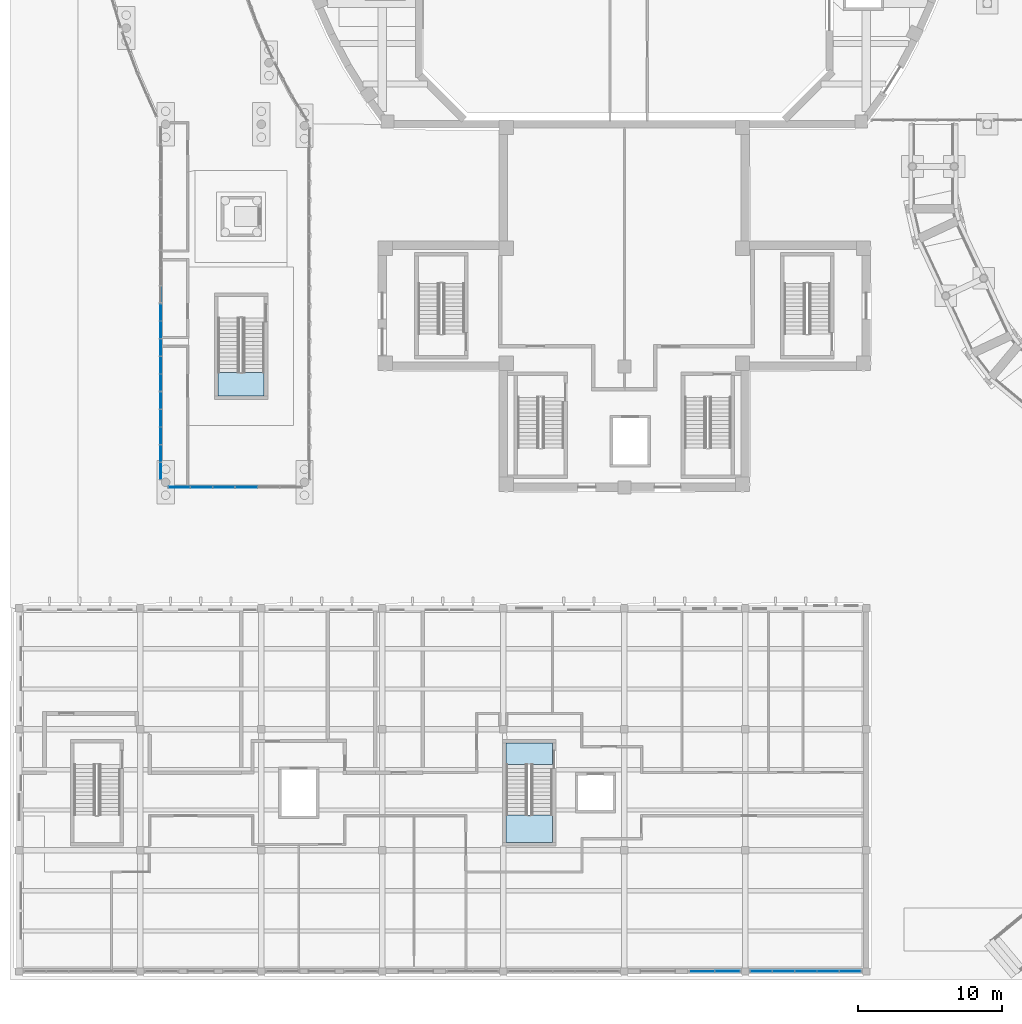
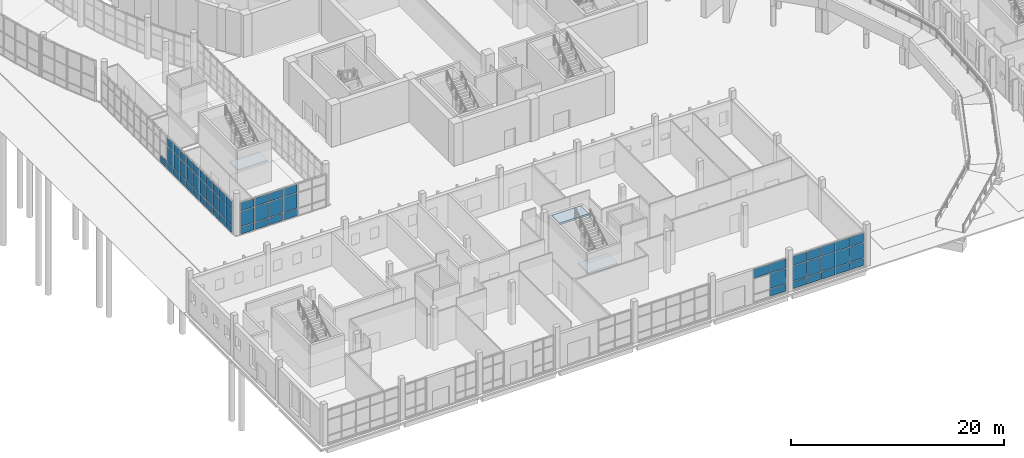
# One storey, part 39 of 110: 62 plates, 3 slabs, 9 elements without a shape of their own.
"""IFC4 building model written with IfcOpenShell, lengths in metres."""

import ifcopenshell
import ifcopenshell.guid

model = None  # the IFC model being written
_history = None  # IfcOwnerHistory: only IFC2X3 demands one
_inside = {}  # id of a spatial element -> (the spatial element, [elements in it])
_under = {}  # id of a project, library or spatial element -> (it, [spatial elements below it])
_declared = {}  # id of a project -> (the project, [libraries it declares])
_typed = {}  # id of a type object -> (the type object, [elements of that type])
_made_of = {}  # id of a material, layer set ... -> (it, [elements and type objects made of it])


def new_model(schema):
    """Start an empty IFC model of exactly this schema.

    Asked for "IFC4X3", IfcOpenShell would pick the latest addendum, in which some entities
    have other attributes; the version numbers below select the first issue.
    IFC2X3 requires an IfcOwnerHistory on every rooted entity: one is made here for all.
    """
    global model, _history
    if schema == "IFC4X3":
        model = ifcopenshell.file(schema_version=(4, 3, 0, 0))
    else:
        model = ifcopenshell.file(schema=schema)
    _inside.clear()
    _under.clear()
    _declared.clear()
    _typed.clear()
    _made_of.clear()
    _history = None
    if model.schema == "IFC2X3":
        org = make("IfcOrganization", Name="unknown")
        user = make(
            "IfcPersonAndOrganization",
            ThePerson=make("IfcPerson", FamilyName="unknown"),
            TheOrganization=org,
        )
        app = make(
            "IfcApplication",
            ApplicationDeveloper=org,
            Version="unknown",
            ApplicationFullName="unknown",
            ApplicationIdentifier="unknown",
        )
        _history = make(
            "IfcOwnerHistory",
            OwningUser=user,
            OwningApplication=app,
            ChangeAction="ADDED",
            CreationDate=0,
        )
    return model


def make(cls, **values):
    """One entity of the class cls with the attributes given. An attribute that is None is left unset."""
    return model.create_entity(
        cls, **{name: value for name, value in values.items() if value is not None}
    )


def rooted(cls, **values):
    """An entity with a GlobalId (a new one), such as an element, a storey or a relation."""
    return make(cls, GlobalId=ifcopenshell.guid.new(), OwnerHistory=_history, **values)


def si_unit(unit_type, name, prefix=None):
    """IfcSIUnit, for example si_unit("LENGTHUNIT", "METRE", prefix="MILLI")."""
    return make("IfcSIUnit", UnitType=unit_type, Prefix=prefix, Name=name)


def assignment(units):
    """IfcUnitAssignment: the units of a project."""
    return None if units is None else make("IfcUnitAssignment", Units=units)


def point(xyz):
    """IfcCartesianPoint."""
    return None if xyz is None else make("IfcCartesianPoint", Coordinates=xyz)


def direction(xyz):
    """IfcDirection."""
    return None if xyz is None else make("IfcDirection", DirectionRatios=xyz)


def frame(location, z_axis=None, x_axis=None):
    """IfcAxis2Placement3D, a coordinate frame: its origin and axes. An axis left out is left unset."""
    return make(
        "IfcAxis2Placement3D",
        Location=point(location),
        Axis=direction(z_axis),
        RefDirection=direction(x_axis),
    )


def frame_2d(location, x_axis=None):
    """IfcAxis2Placement2D, a coordinate frame in the plane: its origin and x axis."""
    return make(
        "IfcAxis2Placement2D", Location=point(location), RefDirection=direction(x_axis)
    )


def origin():
    """The frame at (0, 0, 0) with its axes left unset."""
    return frame((0.0, 0.0, 0.0))


def origin_2d():
    """The frame at (0, 0) in the plane with its x axis left unset."""
    return frame_2d((0.0, 0.0))


def place(relative_to, where):
    """IfcLocalPlacement: puts the frame where relative to a parent placement (None: the world)."""
    return make(
        "IfcLocalPlacement", PlacementRelTo=relative_to, RelativePlacement=where
    )


def context(
    kind, dimensions, precision=None, world=None, true_north=None, identifier=None
):
    """IfcGeometricRepresentationContext, for example the 3D "Model" context."""
    return make(
        "IfcGeometricRepresentationContext",
        ContextIdentifier=identifier,
        ContextType=kind,
        CoordinateSpaceDimension=dimensions,
        Precision=precision,
        WorldCoordinateSystem=world,
        TrueNorth=true_north,
    )


def subcontext(parent, identifier, kind, view, scale=None):
    """IfcGeometricRepresentationSubContext, for example "Body" below "Model"."""
    return make(
        "IfcGeometricRepresentationSubContext",
        ContextIdentifier=identifier,
        ContextType=kind,
        ParentContext=parent,
        TargetScale=scale,
        TargetView=view,
    )


def project(units=None, contexts=None):
    """IfcProject with its units and contexts."""
    return rooted(
        "IfcProject",
        Name="project",
        RepresentationContexts=contexts,
        UnitsInContext=assignment(units),
    )


def spatial(cls, under=None, at=None, **own):
    """A site, building, storey or space (cls), placed at a placement, below another one or the project."""
    s = rooted(cls, ObjectPlacement=at, **own)
    if under is not None:
        _under.setdefault(under.id(), (under, []))[1].append(s)
    return s


def polyline(points):
    """IfcPolyline through the points."""
    return make("IfcPolyline", Points=[point(p) for p in points])


def profile(cls, at=None, kind="AREA", **sizes):
    """A parametric profile (cls). Its sizes go by their IFC names, for example OverallWidth=200.0."""
    return make(cls, ProfileType=kind, Position=at, **sizes)


def rectangle(**sizes):
    """IfcRectangleProfileDef."""
    return profile("IfcRectangleProfileDef", **sizes)


def outline(outer, holes=None, kind="AREA"):
    """IfcArbitraryClosedProfileDef: a profile drawn as a closed curve; with holes, ...WithVoids."""
    if holes is None:
        return make("IfcArbitraryClosedProfileDef", ProfileType=kind, OuterCurve=outer)
    return make(
        "IfcArbitraryProfileDefWithVoids",
        ProfileType=kind,
        OuterCurve=outer,
        InnerCurves=holes,
    )


def extrude(swept, where, along, depth):
    """IfcExtrudedAreaSolid: the profile swept, set in the frame where, extruded along a direction by depth."""
    return make(
        "IfcExtrudedAreaSolid",
        SweptArea=swept,
        Position=where,
        ExtrudedDirection=direction(along),
        Depth=depth,
    )


def shape(context_of_items, identifier, shape_type, items):
    """IfcShapeRepresentation: the items that make up one representation, for example the "Body"."""
    return make(
        "IfcShapeRepresentation",
        ContextOfItems=context_of_items,
        RepresentationIdentifier=identifier,
        RepresentationType=shape_type,
        Items=items,
    )


def material(Name=None, Category=None):
    """IfcMaterial."""
    return make("IfcMaterial", Name=Name, Category=Category)


def layer(
    of_material, thickness, ventilated=None, Name=None, Category=None, Priority=None
):
    """IfcMaterialLayer: one layer of a wall or slab, of a material (None: an air gap)."""
    return make(
        "IfcMaterialLayer",
        Material=of_material,
        LayerThickness=thickness,
        IsVentilated=ventilated,
        Name=Name,
        Category=Category,
        Priority=Priority,
    )


def layer_set(layers, Name=None):
    """IfcMaterialLayerSet."""
    return make("IfcMaterialLayerSet", MaterialLayers=layers, LayerSetName=Name)


def made_of(thing, what):
    """Note that an element or type object is made of a material, layer set ...; save() writes the relation."""
    if what is not None:
        _made_of.setdefault(what.id(), (what, []))[1].append(thing)
    return thing


def type_object(cls, material=None, **own):
    """A type object (cls), such as IfcWallType, which elements share."""
    return made_of(rooted(cls, **own), material)


def element(
    cls,
    number,
    at=None,
    inside=None,
    cuts=None,
    type_object=None,
    material=None,
    context=None,
    identifier="Body",
    shape_type=None,
    held_by="IfcProductDefinitionShape",
    body=None,
    shapes=None,
    **own,
):
    """One element of the class cls, such as IfcWall. Its Tag is "e" and its number.

    at: its placement. inside: the storey or other place that contains it. cuts: it is an
    opening in that element (IfcRelVoidsElement). A single representation is given by context,
    identifier, shape_type and body (its items); several are given by shapes. held_by: the class
    of the entity that holds the representations. save() writes the other relations.
    """
    e = rooted(cls, Tag="e%d" % number, ObjectPlacement=at, **own)
    if body is not None:
        shapes = [shape(context, identifier, shape_type, body)]
    if shapes is not None:
        e.Representation = make(held_by, Representations=shapes)
    if inside is not None:
        _inside.setdefault(inside.id(), (inside, []))[1].append(e)
    if cuts is not None:
        rooted(
            "IfcRelVoidsElement", RelatingBuildingElement=cuts, RelatedOpeningElement=e
        )
    if type_object is not None:
        _typed.setdefault(type_object.id(), (type_object, []))[1].append(e)
    return made_of(e, material)


def aggregate(whole, parts):
    """IfcRelAggregates: a whole, such as a stair, and the parts it consists of."""
    return rooted("IfcRelAggregates", RelatingObject=whole, RelatedObjects=parts)


def save(model, path):
    """Write the relations noted so far, then the file.

    IfcRelAggregates (storeys below a building ...), IfcRelContainedInSpatialStructure (elements
    in a storey), IfcRelDefinesByType, IfcRelAssociatesMaterial and IfcRelDeclares: one each for
    every whole, place, type object, material and project.
    """
    for whole, parts in _under.values():
        aggregate(whole, parts)
    for where, things in _inside.values():
        rooted(
            "IfcRelContainedInSpatialStructure",
            RelatedElements=things,
            RelatingStructure=where,
        )
    for kind, things in _typed.values():
        rooted("IfcRelDefinesByType", RelatedObjects=things, RelatingType=kind)
    for what, things in _made_of.values():
        rooted("IfcRelAssociatesMaterial", RelatedObjects=things, RelatingMaterial=what)
    for by, libraries in _declared.values():
        rooted("IfcRelDeclares", RelatingContext=by, RelatedDefinitions=libraries)
    model.write(path)


model = new_model("IFC4")

# Units and contexts
model_context = context("Model", 3, precision=1e-05, world=origin(), true_north=direction((0.0, 1.0)))
body_context = subcontext(model_context, "Body", "Model", "MODEL_VIEW")
ifc_project = project(units=[si_unit("LENGTHUNIT", "METRE"), si_unit("AREAUNIT", "SQUARE_METRE"), si_unit("VOLUMEUNIT", "CUBIC_METRE"), si_unit("PLANEANGLEUNIT", "RADIAN"), si_unit("MASSUNIT", "GRAM", prefix="KILO")], contexts=[model_context])

# Site, building, storey
site_placement = place(None, origin())
site = spatial("IfcSite", under=ifc_project, at=site_placement, CompositionType="ELEMENT")
building_placement = place(site_placement, origin())
building = spatial("IfcBuilding", under=site, at=building_placement, Name="Larchfold Concert Hall", CompositionType="ELEMENT")
storey_placement = place(building_placement, origin())
storey = spatial("IfcBuildingStorey", under=building, at=storey_placement, Name="L00", CompositionType="ELEMENT", Elevation=0.0)

# Curtain wall, plates
ifc_material_1 = material(Name="Anodised graphite aluminium curtain wall", Category="aluminium")
ifc_layer_1 = layer(ifc_material_1, 0.14990234375)
ifc_layer_set_1 = layer_set([ifc_layer_1], Name="Anodised graphite aluminium curtain wall")
curtain_wall_type_1 = type_object("IfcCurtainWallType", Name="Curtain wall WG", PredefinedType="NOTDEFINED", material=ifc_layer_set_1)
curtain_wall_1_placement = place(storey_placement, origin())
curtain_wall_1 = element("IfcCurtainWall", 1, at=curtain_wall_1_placement, inside=storey, type_object=curtain_wall_type_1, Name="Curtain wall CW0129", PredefinedType="NOTDEFINED")
ifc_material_2 = material(Name="Insulated glazing unit, glass", Category="glass")
ifc_layer_2 = layer(ifc_material_2, 0.028076171875)
ifc_layer_set_2 = layer_set([ifc_layer_2], Name="Insulated glazing unit, glass")
plate_type_1 = type_object("IfcPlateType", Name="Glass panel 28", PredefinedType="CURTAIN_PANEL", material=ifc_layer_set_2)
plate_1_placement = place(storey_placement, frame((10.408447265625, 46.3466796875, 0.93994140625), z_axis=(0.0, 0.0, 1.0), x_axis=(0.0, -1.0, 0.0)))
plate_1 = element("IfcPlate", 2, at=plate_1_placement, type_object=plate_type_1, Name="CW0129 panel 1.2", PredefinedType="CURTAIN_PANEL", context=body_context, shape_type="SweptSolid", body=[
    extrude(rectangle(XDim=1.13671875, YDim=0.028076171875, at=origin_2d()), origin(), (0.0, 0.0, 1.0), 1.719970703125),
])
plate_2_placement = place(storey_placement, frame((10.408447265625, 46.3466796875, 2.740234375), z_axis=(0.0, 0.0, 1.0), x_axis=(0.0, -1.0, 0.0)))
plate_2 = element("IfcPlate", 3, at=plate_2_placement, type_object=plate_type_1, Name="CW0129 panel 1.3", PredefinedType="CURTAIN_PANEL", context=body_context, shape_type="SweptSolid", body=[
    extrude(rectangle(XDim=1.13671875, YDim=0.028076171875, at=origin_2d()), origin(), (0.0, 0.0, 1.0), 0.929931640625),
])
plate_3_placement = place(storey_placement, frame((10.408447265625, 45.135009765625, 0.93994140625), z_axis=(0.0, 0.0, 1.0), x_axis=(0.0, -1.0, 0.0)))
plate_3 = element("IfcPlate", 4, at=plate_3_placement, type_object=plate_type_1, Name="CW0129 panel 2.2", PredefinedType="CURTAIN_PANEL", context=body_context, shape_type="SweptSolid", body=[
    extrude(rectangle(XDim=1.166748046875, YDim=0.028076171875, at=origin_2d()), origin(), (0.0, 0.0, 1.0), 1.719970703125),
])
plate_4_placement = place(storey_placement, frame((10.408447265625, 45.135009765625, 2.740234375), z_axis=(0.0, 0.0, 1.0), x_axis=(0.0, -1.0, 0.0)))
plate_4 = element("IfcPlate", 5, at=plate_4_placement, type_object=plate_type_1, Name="CW0129 panel 2.3", PredefinedType="CURTAIN_PANEL", context=body_context, shape_type="SweptSolid", body=[
    extrude(rectangle(XDim=1.166748046875, YDim=0.028076171875, at=origin_2d()), origin(), (0.0, 0.0, 1.0), 0.929931640625),
])
plate_5_placement = place(storey_placement, frame((10.408447265625, 43.908447265625, 0.93994140625), z_axis=(0.0, 0.0, 1.0), x_axis=(0.0, -1.0, 0.0)))
plate_5 = element("IfcPlate", 6, at=plate_5_placement, type_object=plate_type_1, Name="CW0129 panel 3.2", PredefinedType="CURTAIN_PANEL", context=body_context, shape_type="SweptSolid", body=[
    extrude(rectangle(XDim=1.166748046875, YDim=0.028076171875, at=origin_2d()), origin(), (0.0, 0.0, 1.0), 1.719970703125),
])
plate_6_placement = place(storey_placement, frame((10.408447265625, 43.908447265625, 2.740234375), z_axis=(0.0, 0.0, 1.0), x_axis=(0.0, -1.0, 0.0)))
plate_6 = element("IfcPlate", 7, at=plate_6_placement, type_object=plate_type_1, Name="CW0129 panel 3.3", PredefinedType="CURTAIN_PANEL", context=body_context, shape_type="SweptSolid", body=[
    extrude(rectangle(XDim=1.166748046875, YDim=0.028076171875, at=origin_2d()), origin(), (0.0, 0.0, 1.0), 0.929931640625),
])
plate_7_placement = place(storey_placement, frame((10.408447265625, 42.681884765625, 0.93994140625), z_axis=(0.0, 0.0, 1.0), x_axis=(0.0, -1.0, 0.0)))
plate_7 = element("IfcPlate", 8, at=plate_7_placement, type_object=plate_type_1, Name="CW0129 panel 4.2", PredefinedType="CURTAIN_PANEL", context=body_context, shape_type="SweptSolid", body=[
    extrude(rectangle(XDim=1.166748046875, YDim=0.028076171875, at=origin_2d()), origin(), (0.0, 0.0, 1.0), 1.719970703125),
])
plate_8_placement = place(storey_placement, frame((10.408447265625, 42.681884765625, 2.740234375), z_axis=(0.0, 0.0, 1.0), x_axis=(0.0, -1.0, 0.0)))
plate_8 = element("IfcPlate", 9, at=plate_8_placement, type_object=plate_type_1, Name="CW0129 panel 4.3", PredefinedType="CURTAIN_PANEL", context=body_context, shape_type="SweptSolid", body=[
    extrude(rectangle(XDim=1.166748046875, YDim=0.028076171875, at=origin_2d()), origin(), (0.0, 0.0, 1.0), 0.929931640625),
])
plate_9_placement = place(storey_placement, frame((10.408447265625, 41.47021484375, 0.93994140625), z_axis=(0.0, 0.0, 1.0), x_axis=(0.0, -1.0, 0.0)))
plate_9 = element("IfcPlate", 10, at=plate_9_placement, type_object=plate_type_1, Name="CW0129 panel 5.2", PredefinedType="CURTAIN_PANEL", context=body_context, shape_type="SweptSolid", body=[
    extrude(rectangle(XDim=1.13671875, YDim=0.028076171875, at=origin_2d()), origin(), (0.0, 0.0, 1.0), 1.719970703125),
])
plate_10_placement = place(storey_placement, frame((10.408447265625, 41.47021484375, 2.740234375), z_axis=(0.0, 0.0, 1.0), x_axis=(0.0, -1.0, 0.0)))
plate_10 = element("IfcPlate", 11, at=plate_10_placement, type_object=plate_type_1, Name="CW0129 panel 5.3", PredefinedType="CURTAIN_PANEL", context=body_context, shape_type="SweptSolid", body=[
    extrude(rectangle(XDim=1.13671875, YDim=0.028076171875, at=origin_2d()), origin(), (0.0, 0.0, 1.0), 0.929931640625),
])

curtain_wall_2_placement = place(storey_placement, origin())
curtain_wall_2 = element("IfcCurtainWall", 12, at=curtain_wall_2_placement, inside=storey, type_object=curtain_wall_type_1, Name="Curtain wall CW0130", PredefinedType="NOTDEFINED")
plate_11_placement = place(storey_placement, frame((10.408447265625, 40.21337890625, 0.93994140625), z_axis=(0.0, 0.0, 1.0), x_axis=(0.0, -1.0, 0.0)))
plate_11 = element("IfcPlate", 13, at=plate_11_placement, type_object=plate_type_1, Name="CW0130 panel 1.2", PredefinedType="CURTAIN_PANEL", context=body_context, shape_type="SweptSolid", body=[
    extrude(rectangle(XDim=1.13671875, YDim=0.028076171875, at=origin_2d()), origin(), (0.0, 0.0, 1.0), 1.719970703125),
])
plate_12_placement = place(storey_placement, frame((10.408447265625, 40.21337890625, 2.740234375), z_axis=(0.0, 0.0, 1.0), x_axis=(0.0, -1.0, 0.0)))
plate_12 = element("IfcPlate", 14, at=plate_12_placement, type_object=plate_type_1, Name="CW0130 panel 1.3", PredefinedType="CURTAIN_PANEL", context=body_context, shape_type="SweptSolid", body=[
    extrude(rectangle(XDim=1.13671875, YDim=0.028076171875, at=origin_2d()), origin(), (0.0, 0.0, 1.0), 0.929931640625),
])
plate_13_placement = place(storey_placement, frame((10.408447265625, 39.001953125, 0.93994140625), z_axis=(0.0, 0.0, 1.0), x_axis=(0.0, -1.0, 0.0)))
plate_13 = element("IfcPlate", 15, at=plate_13_placement, type_object=plate_type_1, Name="CW0130 panel 2.2", PredefinedType="CURTAIN_PANEL", context=body_context, shape_type="SweptSolid", body=[
    extrude(rectangle(XDim=1.16650390625, YDim=0.028076171875, at=origin_2d()), origin(), (0.0, 0.0, 1.0), 1.719970703125),
])
plate_14_placement = place(storey_placement, frame((10.408447265625, 39.001953125, 2.740234375), z_axis=(0.0, 0.0, 1.0), x_axis=(0.0, -1.0, 0.0)))
plate_14 = element("IfcPlate", 16, at=plate_14_placement, type_object=plate_type_1, Name="CW0130 panel 2.3", PredefinedType="CURTAIN_PANEL", context=body_context, shape_type="SweptSolid", body=[
    extrude(rectangle(XDim=1.16650390625, YDim=0.028076171875, at=origin_2d()), origin(), (0.0, 0.0, 1.0), 0.929931640625),
])
plate_15_placement = place(storey_placement, frame((10.408447265625, 37.775390625, 0.93994140625), z_axis=(0.0, 0.0, 1.0), x_axis=(0.0, -1.0, 0.0)))
plate_15 = element("IfcPlate", 17, at=plate_15_placement, type_object=plate_type_1, Name="CW0130 panel 3.2", PredefinedType="CURTAIN_PANEL", context=body_context, shape_type="SweptSolid", body=[
    extrude(rectangle(XDim=1.16650390625, YDim=0.028076171875, at=origin_2d()), origin(), (0.0, 0.0, 1.0), 1.719970703125),
])
plate_16_placement = place(storey_placement, frame((10.408447265625, 37.775390625, 2.740234375), z_axis=(0.0, 0.0, 1.0), x_axis=(0.0, -1.0, 0.0)))
plate_16 = element("IfcPlate", 18, at=plate_16_placement, type_object=plate_type_1, Name="CW0130 panel 3.3", PredefinedType="CURTAIN_PANEL", context=body_context, shape_type="SweptSolid", body=[
    extrude(rectangle(XDim=1.16650390625, YDim=0.028076171875, at=origin_2d()), origin(), (0.0, 0.0, 1.0), 0.929931640625),
])
plate_17_placement = place(storey_placement, frame((10.408447265625, 36.548583984375, 0.93994140625), z_axis=(0.0, 0.0, 1.0), x_axis=(0.0, -1.0, 0.0)))
plate_17 = element("IfcPlate", 19, at=plate_17_placement, type_object=plate_type_1, Name="CW0130 panel 4.2", PredefinedType="CURTAIN_PANEL", context=body_context, shape_type="SweptSolid", body=[
    extrude(rectangle(XDim=1.16650390625, YDim=0.028076171875, at=origin_2d()), origin(), (0.0, 0.0, 1.0), 1.719970703125),
])
plate_18_placement = place(storey_placement, frame((10.408447265625, 36.548583984375, 2.740234375), z_axis=(0.0, 0.0, 1.0), x_axis=(0.0, -1.0, 0.0)))
plate_18 = element("IfcPlate", 20, at=plate_18_placement, type_object=plate_type_1, Name="CW0130 panel 4.3", PredefinedType="CURTAIN_PANEL", context=body_context, shape_type="SweptSolid", body=[
    extrude(rectangle(XDim=1.16650390625, YDim=0.028076171875, at=origin_2d()), origin(), (0.0, 0.0, 1.0), 0.929931640625),
])
plate_19_placement = place(storey_placement, frame((10.408447265625, 35.337158203125, 0.93994140625), z_axis=(0.0, 0.0, 1.0), x_axis=(0.0, -1.0, 0.0)))
plate_19 = element("IfcPlate", 21, at=plate_19_placement, type_object=plate_type_1, Name="CW0130 panel 5.2", PredefinedType="CURTAIN_PANEL", context=body_context, shape_type="SweptSolid", body=[
    extrude(rectangle(XDim=1.13671875, YDim=0.028076171875, at=origin_2d()), origin(), (0.0, 0.0, 1.0), 1.719970703125),
])
plate_20_placement = place(storey_placement, frame((10.408447265625, 35.337158203125, 2.740234375), z_axis=(0.0, 0.0, 1.0), x_axis=(0.0, -1.0, 0.0)))
plate_20 = element("IfcPlate", 22, at=plate_20_placement, type_object=plate_type_1, Name="CW0130 panel 5.3", PredefinedType="CURTAIN_PANEL", context=body_context, shape_type="SweptSolid", body=[
    extrude(rectangle(XDim=1.13671875, YDim=0.028076171875, at=origin_2d()), origin(), (0.0, 0.0, 1.0), 0.929931640625),
])

curtain_wall_3_placement = place(storey_placement, origin())
curtain_wall_3 = element("IfcCurtainWall", 23, at=curtain_wall_3_placement, inside=storey, type_object=curtain_wall_type_1, Name="Curtain wall CW0131", PredefinedType="NOTDEFINED")
plate_21_placement = place(storey_placement, frame((11.707763671875, 34.199951171875, 0.93994140625), z_axis=(0.0, 0.0, 1.0), x_axis=(1.0, 0.0, 0.0)))
plate_21 = element("IfcPlate", 24, at=plate_21_placement, type_object=plate_type_1, Name="CW0131 panel 1.2", PredefinedType="CURTAIN_PANEL", context=body_context, shape_type="SweptSolid", body=[
    extrude(rectangle(XDim=1.46435546875, YDim=0.028076171875, at=origin_2d()), origin(), (0.0, 0.0, 1.0), 1.719970703125),
])
plate_22_placement = place(storey_placement, frame((11.707763671875, 34.199951171875, 2.740234375), z_axis=(0.0, 0.0, 1.0), x_axis=(1.0, 0.0, 0.0)))
plate_22 = element("IfcPlate", 25, at=plate_22_placement, type_object=plate_type_1, Name="CW0131 panel 1.3", PredefinedType="CURTAIN_PANEL", context=body_context, shape_type="SweptSolid", body=[
    extrude(rectangle(XDim=1.46435546875, YDim=0.028076171875, at=origin_2d()), origin(), (0.0, 0.0, 1.0), 0.929931640625),
])
plate_23_placement = place(storey_placement, frame((13.2470703125, 34.199951171875, 0.93994140625), z_axis=(0.0, 0.0, 1.0), x_axis=(1.0, 0.0, 0.0)))
plate_23 = element("IfcPlate", 26, at=plate_23_placement, type_object=plate_type_1, Name="CW0131 panel 2.2", PredefinedType="CURTAIN_PANEL", context=body_context, shape_type="SweptSolid", body=[
    extrude(rectangle(XDim=1.494384765625, YDim=0.028076171875, at=origin_2d()), origin(), (0.0, 0.0, 1.0), 1.719970703125),
])
plate_24_placement = place(storey_placement, frame((13.2470703125, 34.199951171875, 2.740234375), z_axis=(0.0, 0.0, 1.0), x_axis=(1.0, 0.0, 0.0)))
plate_24 = element("IfcPlate", 27, at=plate_24_placement, type_object=plate_type_1, Name="CW0131 panel 2.3", PredefinedType="CURTAIN_PANEL", context=body_context, shape_type="SweptSolid", body=[
    extrude(rectangle(XDim=1.494384765625, YDim=0.028076171875, at=origin_2d()), origin(), (0.0, 0.0, 1.0), 0.929931640625),
])
plate_25_placement = place(storey_placement, frame((14.786376953125, 34.199951171875, 0.93994140625), z_axis=(0.0, 0.0, 1.0), x_axis=(1.0, 0.0, 0.0)))
plate_25 = element("IfcPlate", 28, at=plate_25_placement, type_object=plate_type_1, Name="CW0131 panel 3.2", PredefinedType="CURTAIN_PANEL", context=body_context, shape_type="SweptSolid", body=[
    extrude(rectangle(XDim=1.46435546875, YDim=0.028076171875, at=origin_2d()), origin(), (0.0, 0.0, 1.0), 1.719970703125),
])
plate_26_placement = place(storey_placement, frame((14.786376953125, 34.199951171875, 2.740234375), z_axis=(0.0, 0.0, 1.0), x_axis=(1.0, 0.0, 0.0)))
plate_26 = element("IfcPlate", 29, at=plate_26_placement, type_object=plate_type_1, Name="CW0131 panel 3.3", PredefinedType="CURTAIN_PANEL", context=body_context, shape_type="SweptSolid", body=[
    extrude(rectangle(XDim=1.46435546875, YDim=0.028076171875, at=origin_2d()), origin(), (0.0, 0.0, 1.0), 0.929931640625),
])

curtain_wall_4_placement = place(storey_placement, origin())
curtain_wall_4 = element("IfcCurtainWall", 30, at=curtain_wall_4_placement, inside=storey, type_object=curtain_wall_type_1, Name="Curtain wall CW0132", PredefinedType="NOTDEFINED")
plate_27_placement = place(storey_placement, frame((16.370849609375, 34.199951171875, 0.93994140625), z_axis=(0.0, 0.0, 1.0), x_axis=(1.0, 0.0, 0.0)))
plate_27 = element("IfcPlate", 31, at=plate_27_placement, type_object=plate_type_1, Name="CW0132 panel 1.2", PredefinedType="CURTAIN_PANEL", context=body_context, shape_type="SweptSolid", body=[
    extrude(rectangle(XDim=1.46435546875, YDim=0.028076171875, at=origin_2d()), origin(), (0.0, 0.0, 1.0), 1.719970703125),
])
plate_28_placement = place(storey_placement, frame((16.370849609375, 34.199951171875, 2.740234375), z_axis=(0.0, 0.0, 1.0), x_axis=(1.0, 0.0, 0.0)))
plate_28 = element("IfcPlate", 32, at=plate_28_placement, type_object=plate_type_1, Name="CW0132 panel 1.3", PredefinedType="CURTAIN_PANEL", context=body_context, shape_type="SweptSolid", body=[
    extrude(rectangle(XDim=1.46435546875, YDim=0.028076171875, at=origin_2d()), origin(), (0.0, 0.0, 1.0), 0.929931640625),
])

ifc_material_3 = material(Name="Anodised graphite aluminium curtain wall", Category="aluminium")
ifc_layer_3 = layer(ifc_material_3, 0.1201171875)
ifc_layer_set_3 = layer_set([ifc_layer_3], Name="Anodised graphite aluminium curtain wall")
curtain_wall_type_2 = type_object("IfcCurtainWallType", Name="Curtain wall SF", PredefinedType="NOTDEFINED", material=ifc_layer_set_3)
curtain_wall_5_placement = place(storey_placement, origin())
curtain_wall_5 = element("IfcCurtainWall", 33, at=curtain_wall_5_placement, inside=storey, type_object=curtain_wall_type_2, Name="Curtain wall CW0301", PredefinedType="NOTDEFINED")
ifc_material_4 = material(Name="Insulated glazing unit, glass", Category="glass")
ifc_layer_4 = layer(ifc_material_4, 0.030029296875)
ifc_layer_set_4 = layer_set([ifc_layer_4], Name="Insulated glazing unit, glass")
plate_type_2 = type_object("IfcPlateType", Name="Glass panel 30", PredefinedType="CURTAIN_PANEL", material=ifc_layer_set_4)
plate_29_placement = place(storey_placement, frame((47.987548828125, 0.60009765625, 2.73486328125), z_axis=(0.0, 0.0, 1.0), x_axis=(1.0, 0.0, 0.0)))
plate_29 = element("IfcPlate", 34, at=plate_29_placement, type_object=plate_type_2, Name="CW0301 panel 1.3", PredefinedType="CURTAIN_PANEL", context=body_context, shape_type="SweptSolid", body=[
    extrude(rectangle(XDim=1.71484375, YDim=0.030029296875, at=origin_2d()), origin(), (0.0, 0.0, 1.0), 1.03515625),
])
plate_30_placement = place(storey_placement, frame((49.762451171875, 0.60009765625, 0.93505859375), z_axis=(0.0, 0.0, 1.0), x_axis=(1.0, 0.0, 0.0)))
plate_30 = element("IfcPlate", 35, at=plate_30_placement, type_object=plate_type_2, Name="CW0301 panel 2.2", PredefinedType="CURTAIN_PANEL", context=body_context, shape_type="SweptSolid", body=[
    extrude(rectangle(XDim=1.71484375, YDim=0.030029296875, at=origin_2d()), origin(), (0.0, 0.0, 1.0), 1.72998046875),
])
plate_31_placement = place(storey_placement, frame((49.762451171875, 0.60009765625, 2.73486328125), z_axis=(0.0, 0.0, 1.0), x_axis=(1.0, 0.0, 0.0)))
plate_31 = element("IfcPlate", 36, at=plate_31_placement, type_object=plate_type_2, Name="CW0301 panel 2.3", PredefinedType="CURTAIN_PANEL", context=body_context, shape_type="SweptSolid", body=[
    extrude(rectangle(XDim=1.71484375, YDim=0.030029296875, at=origin_2d()), origin(), (0.0, 0.0, 1.0), 1.03515625),
])

curtain_wall_6_placement = place(storey_placement, origin())
curtain_wall_6 = element("IfcCurtainWall", 37, at=curtain_wall_6_placement, inside=storey, type_object=curtain_wall_type_2, Name="Curtain wall CW0302", PredefinedType="NOTDEFINED")
plate_32_placement = place(storey_placement, frame((52.111083984375, 0.60009765625, 0.93505859375), z_axis=(0.0, 0.0, 1.0), x_axis=(1.0, 0.0, 0.0)))
plate_32 = element("IfcPlate", 38, at=plate_32_placement, type_object=plate_type_2, Name="CW0302 panel 1.2", PredefinedType="CURTAIN_PANEL", context=body_context, shape_type="SweptSolid", body=[
    extrude(rectangle(XDim=1.4619140625, YDim=0.030029296875, at=origin_2d()), origin(), (0.0, 0.0, 1.0), 1.72998046875),
])
plate_33_placement = place(storey_placement, frame((52.111083984375, 0.60009765625, 2.73486328125), z_axis=(0.0, 0.0, 1.0), x_axis=(1.0, 0.0, 0.0)))
plate_33 = element("IfcPlate", 39, at=plate_33_placement, type_object=plate_type_2, Name="CW0302 panel 1.3", PredefinedType="CURTAIN_PANEL", context=body_context, shape_type="SweptSolid", body=[
    extrude(rectangle(XDim=1.4619140625, YDim=0.030029296875, at=origin_2d()), origin(), (0.0, 0.0, 1.0), 1.03515625),
])
plate_34_placement = place(storey_placement, frame((53.64794921875, 0.60009765625, 0.93505859375), z_axis=(0.0, 0.0, 1.0), x_axis=(1.0, 0.0, 0.0)))
plate_34 = element("IfcPlate", 40, at=plate_34_placement, type_object=plate_type_2, Name="CW0302 panel 2.2", PredefinedType="CURTAIN_PANEL", context=body_context, shape_type="SweptSolid", body=[
    extrude(rectangle(XDim=1.491943359375, YDim=0.030029296875, at=origin_2d()), origin(), (0.0, 0.0, 1.0), 1.72998046875),
])
plate_35_placement = place(storey_placement, frame((53.64794921875, 0.60009765625, 2.73486328125), z_axis=(0.0, 0.0, 1.0), x_axis=(1.0, 0.0, 0.0)))
plate_35 = element("IfcPlate", 41, at=plate_35_placement, type_object=plate_type_2, Name="CW0302 panel 2.3", PredefinedType="CURTAIN_PANEL", context=body_context, shape_type="SweptSolid", body=[
    extrude(rectangle(XDim=1.491943359375, YDim=0.030029296875, at=origin_2d()), origin(), (0.0, 0.0, 1.0), 1.03515625),
])
plate_36_placement = place(storey_placement, frame((55.199951171875, 0.60009765625, 0.93505859375), z_axis=(0.0, 0.0, 1.0), x_axis=(1.0, 0.0, 0.0)))
plate_36 = element("IfcPlate", 42, at=plate_36_placement, type_object=plate_type_2, Name="CW0302 panel 3.2", PredefinedType="CURTAIN_PANEL", context=body_context, shape_type="SweptSolid", body=[
    extrude(rectangle(XDim=1.491943359375, YDim=0.030029296875, at=origin_2d()), origin(), (0.0, 0.0, 1.0), 1.72998046875),
])
plate_37_placement = place(storey_placement, frame((55.199951171875, 0.60009765625, 2.73486328125), z_axis=(0.0, 0.0, 1.0), x_axis=(1.0, 0.0, 0.0)))
plate_37 = element("IfcPlate", 43, at=plate_37_placement, type_object=plate_type_2, Name="CW0302 panel 3.3", PredefinedType="CURTAIN_PANEL", context=body_context, shape_type="SweptSolid", body=[
    extrude(rectangle(XDim=1.491943359375, YDim=0.030029296875, at=origin_2d()), origin(), (0.0, 0.0, 1.0), 1.03515625),
])
plate_38_placement = place(storey_placement, frame((56.751953125, 0.60009765625, 0.93505859375), z_axis=(0.0, 0.0, 1.0), x_axis=(1.0, 0.0, 0.0)))
plate_38 = element("IfcPlate", 44, at=plate_38_placement, type_object=plate_type_2, Name="CW0302 panel 4.2", PredefinedType="CURTAIN_PANEL", context=body_context, shape_type="SweptSolid", body=[
    extrude(rectangle(XDim=1.491943359375, YDim=0.030029296875, at=origin_2d()), origin(), (0.0, 0.0, 1.0), 1.72998046875),
])
plate_39_placement = place(storey_placement, frame((56.751953125, 0.60009765625, 2.73486328125), z_axis=(0.0, 0.0, 1.0), x_axis=(1.0, 0.0, 0.0)))
plate_39 = element("IfcPlate", 45, at=plate_39_placement, type_object=plate_type_2, Name="CW0302 panel 4.3", PredefinedType="CURTAIN_PANEL", context=body_context, shape_type="SweptSolid", body=[
    extrude(rectangle(XDim=1.491943359375, YDim=0.030029296875, at=origin_2d()), origin(), (0.0, 0.0, 1.0), 1.03515625),
])
plate_40_placement = place(storey_placement, frame((58.288818359375, 0.60009765625, 0.93505859375), z_axis=(0.0, 0.0, 1.0), x_axis=(1.0, 0.0, 0.0)))
plate_40 = element("IfcPlate", 46, at=plate_40_placement, type_object=plate_type_2, Name="CW0302 panel 5.2", PredefinedType="CURTAIN_PANEL", context=body_context, shape_type="SweptSolid", body=[
    extrude(rectangle(XDim=1.4619140625, YDim=0.030029296875, at=origin_2d()), origin(), (0.0, 0.0, 1.0), 1.72998046875),
])
plate_41_placement = place(storey_placement, frame((58.288818359375, 0.60009765625, 2.73486328125), z_axis=(0.0, 0.0, 1.0), x_axis=(1.0, 0.0, 0.0)))
plate_41 = element("IfcPlate", 47, at=plate_41_placement, type_object=plate_type_2, Name="CW0302 panel 5.3", PredefinedType="CURTAIN_PANEL", context=body_context, shape_type="SweptSolid", body=[
    extrude(rectangle(XDim=1.4619140625, YDim=0.030029296875, at=origin_2d()), origin(), (0.0, 0.0, 1.0), 1.03515625),
])

# Plate
ifc_material_5 = material(Name="White insulated panel")
ifc_layer_5 = layer(ifc_material_5, 0.054931640625)
ifc_layer_set_5 = layer_set([ifc_layer_5], Name="White insulated panel")
plate_type_3 = type_object("IfcPlateType", Name="Insulated spandrel panel 55", PredefinedType="CURTAIN_PANEL", material=ifc_layer_set_5)
plate_42_placement = place(storey_placement, frame((49.762451171875, 0.60009765625, 0.070068359375), z_axis=(0.0, 0.0, 1.0), x_axis=(1.0, 0.0, 0.0)))
plate_42 = element("IfcPlate", 48, at=plate_42_placement, type_object=plate_type_3, Name="CW0301 panel 2.1", PredefinedType="CURTAIN_PANEL", context=body_context, shape_type="SweptSolid", body=[
    extrude(rectangle(XDim=1.71484375, YDim=0.054931640625, at=origin_2d()), origin(), (0.0, 0.0, 1.0), 0.794921875),
])

aggregate(curtain_wall_5, [plate_29, plate_42, plate_30, plate_31])

plate_43_placement = place(storey_placement, frame((52.111083984375, 0.60009765625, 0.070068359375), z_axis=(0.0, 0.0, 1.0), x_axis=(1.0, 0.0, 0.0)))
plate_43 = element("IfcPlate", 49, at=plate_43_placement, type_object=plate_type_3, Name="CW0302 panel 1.1", PredefinedType="CURTAIN_PANEL", context=body_context, shape_type="SweptSolid", body=[
    extrude(rectangle(XDim=1.4619140625, YDim=0.054931640625, at=origin_2d()), origin(), (0.0, 0.0, 1.0), 0.794921875),
])

plate_44_placement = place(storey_placement, frame((53.64794921875, 0.60009765625, 0.070068359375), z_axis=(0.0, 0.0, 1.0), x_axis=(1.0, 0.0, 0.0)))
plate_44 = element("IfcPlate", 50, at=plate_44_placement, type_object=plate_type_3, Name="CW0302 panel 2.1", PredefinedType="CURTAIN_PANEL", context=body_context, shape_type="SweptSolid", body=[
    extrude(rectangle(XDim=1.491943359375, YDim=0.054931640625, at=origin_2d()), origin(), (0.0, 0.0, 1.0), 0.794921875),
])

plate_45_placement = place(storey_placement, frame((55.199951171875, 0.60009765625, 0.070068359375), z_axis=(0.0, 0.0, 1.0), x_axis=(1.0, 0.0, 0.0)))
plate_45 = element("IfcPlate", 51, at=plate_45_placement, type_object=plate_type_3, Name="CW0302 panel 3.1", PredefinedType="CURTAIN_PANEL", context=body_context, shape_type="SweptSolid", body=[
    extrude(rectangle(XDim=1.491943359375, YDim=0.054931640625, at=origin_2d()), origin(), (0.0, 0.0, 1.0), 0.794921875),
])

plate_46_placement = place(storey_placement, frame((56.751953125, 0.60009765625, 0.070068359375), z_axis=(0.0, 0.0, 1.0), x_axis=(1.0, 0.0, 0.0)))
plate_46 = element("IfcPlate", 52, at=plate_46_placement, type_object=plate_type_3, Name="CW0302 panel 4.1", PredefinedType="CURTAIN_PANEL", context=body_context, shape_type="SweptSolid", body=[
    extrude(rectangle(XDim=1.491943359375, YDim=0.054931640625, at=origin_2d()), origin(), (0.0, 0.0, 1.0), 0.794921875),
])

plate_47_placement = place(storey_placement, frame((58.288818359375, 0.60009765625, 0.070068359375), z_axis=(0.0, 0.0, 1.0), x_axis=(1.0, 0.0, 0.0)))
plate_47 = element("IfcPlate", 53, at=plate_47_placement, type_object=plate_type_3, Name="CW0302 panel 5.1", PredefinedType="CURTAIN_PANEL", context=body_context, shape_type="SweptSolid", body=[
    extrude(rectangle(XDim=1.4619140625, YDim=0.054931640625, at=origin_2d()), origin(), (0.0, 0.0, 1.0), 0.794921875),
])

aggregate(curtain_wall_6, [plate_43, plate_32, plate_33, plate_44, plate_34, plate_35, plate_45, plate_36, plate_37, plate_46, plate_38, plate_39, plate_47, plate_40, plate_41])

# Curtain wall, plate
curtain_wall_7_placement = place(storey_placement, origin())
curtain_wall_7 = element("IfcCurtainWall", 54, at=curtain_wall_7_placement, inside=storey, type_object=curtain_wall_type_1, Name="Curtain wall CW0128", PredefinedType="NOTDEFINED")
ifc_material_6 = material(Name="White insulated panel")
ifc_layer_6 = layer(ifc_material_6, 0.06005859375)
ifc_layer_set_6 = layer_set([ifc_layer_6], Name="White insulated panel")
plate_type_4 = type_object("IfcPlateType", Name="Insulated spandrel panel 60", PredefinedType="CURTAIN_PANEL", material=ifc_layer_set_6)
plate_48_placement = place(storey_placement, frame((10.408447265625, 47.603515625, 0.080078125), z_axis=(0.0, 0.0, 1.0), x_axis=(0.0, -1.0, 0.0)))
plate_48 = element("IfcPlate", 55, at=plate_48_placement, type_object=plate_type_4, Name="CW0128 panel 5.1", PredefinedType="CURTAIN_PANEL", context=body_context, shape_type="SweptSolid", body=[
    extrude(rectangle(XDim=1.13671875, YDim=0.06005859375, at=origin_2d()), origin(), (0.0, 0.0, 1.0), 0.77978515625),
])
aggregate(curtain_wall_7, [plate_48])

# Plate
plate_49_placement = place(storey_placement, frame((10.408447265625, 46.3466796875, 0.080078125), z_axis=(0.0, 0.0, 1.0), x_axis=(0.0, -1.0, 0.0)))
plate_49 = element("IfcPlate", 56, at=plate_49_placement, type_object=plate_type_4, Name="CW0129 panel 1.1", PredefinedType="CURTAIN_PANEL", context=body_context, shape_type="SweptSolid", body=[
    extrude(rectangle(XDim=1.13671875, YDim=0.06005859375, at=origin_2d()), origin(), (0.0, 0.0, 1.0), 0.77978515625),
])

plate_50_placement = place(storey_placement, frame((10.408447265625, 45.135009765625, 0.080078125), z_axis=(0.0, 0.0, 1.0), x_axis=(0.0, -1.0, 0.0)))
plate_50 = element("IfcPlate", 57, at=plate_50_placement, type_object=plate_type_4, Name="CW0129 panel 2.1", PredefinedType="CURTAIN_PANEL", context=body_context, shape_type="SweptSolid", body=[
    extrude(rectangle(XDim=1.166748046875, YDim=0.06005859375, at=origin_2d()), origin(), (0.0, 0.0, 1.0), 0.77978515625),
])

plate_51_placement = place(storey_placement, frame((10.408447265625, 43.908447265625, 0.080078125), z_axis=(0.0, 0.0, 1.0), x_axis=(0.0, -1.0, 0.0)))
plate_51 = element("IfcPlate", 58, at=plate_51_placement, type_object=plate_type_4, Name="CW0129 panel 3.1", PredefinedType="CURTAIN_PANEL", context=body_context, shape_type="SweptSolid", body=[
    extrude(rectangle(XDim=1.166748046875, YDim=0.06005859375, at=origin_2d()), origin(), (0.0, 0.0, 1.0), 0.77978515625),
])

plate_52_placement = place(storey_placement, frame((10.408447265625, 42.681884765625, 0.080078125), z_axis=(0.0, 0.0, 1.0), x_axis=(0.0, -1.0, 0.0)))
plate_52 = element("IfcPlate", 59, at=plate_52_placement, type_object=plate_type_4, Name="CW0129 panel 4.1", PredefinedType="CURTAIN_PANEL", context=body_context, shape_type="SweptSolid", body=[
    extrude(rectangle(XDim=1.166748046875, YDim=0.06005859375, at=origin_2d()), origin(), (0.0, 0.0, 1.0), 0.77978515625),
])

plate_53_placement = place(storey_placement, frame((10.408447265625, 41.47021484375, 0.080078125), z_axis=(0.0, 0.0, 1.0), x_axis=(0.0, -1.0, 0.0)))
plate_53 = element("IfcPlate", 60, at=plate_53_placement, type_object=plate_type_4, Name="CW0129 panel 5.1", PredefinedType="CURTAIN_PANEL", context=body_context, shape_type="SweptSolid", body=[
    extrude(rectangle(XDim=1.13671875, YDim=0.06005859375, at=origin_2d()), origin(), (0.0, 0.0, 1.0), 0.77978515625),
])

aggregate(curtain_wall_1, [plate_49, plate_1, plate_2, plate_50, plate_3, plate_4, plate_51, plate_5, plate_6, plate_52, plate_7, plate_8, plate_53, plate_9, plate_10])

plate_54_placement = place(storey_placement, frame((10.408447265625, 40.21337890625, 0.080078125), z_axis=(0.0, 0.0, 1.0), x_axis=(0.0, -1.0, 0.0)))
plate_54 = element("IfcPlate", 61, at=plate_54_placement, type_object=plate_type_4, Name="CW0130 panel 1.1", PredefinedType="CURTAIN_PANEL", context=body_context, shape_type="SweptSolid", body=[
    extrude(rectangle(XDim=1.13671875, YDim=0.06005859375, at=origin_2d()), origin(), (0.0, 0.0, 1.0), 0.77978515625),
])

plate_55_placement = place(storey_placement, frame((10.408447265625, 39.001953125, 0.080078125), z_axis=(0.0, 0.0, 1.0), x_axis=(0.0, -1.0, 0.0)))
plate_55 = element("IfcPlate", 62, at=plate_55_placement, type_object=plate_type_4, Name="CW0130 panel 2.1", PredefinedType="CURTAIN_PANEL", context=body_context, shape_type="SweptSolid", body=[
    extrude(rectangle(XDim=1.16650390625, YDim=0.06005859375, at=origin_2d()), origin(), (0.0, 0.0, 1.0), 0.77978515625),
])

plate_56_placement = place(storey_placement, frame((10.408447265625, 37.775390625, 0.080078125), z_axis=(0.0, 0.0, 1.0), x_axis=(0.0, -1.0, 0.0)))
plate_56 = element("IfcPlate", 63, at=plate_56_placement, type_object=plate_type_4, Name="CW0130 panel 3.1", PredefinedType="CURTAIN_PANEL", context=body_context, shape_type="SweptSolid", body=[
    extrude(rectangle(XDim=1.16650390625, YDim=0.06005859375, at=origin_2d()), origin(), (0.0, 0.0, 1.0), 0.77978515625),
])

plate_57_placement = place(storey_placement, frame((10.408447265625, 36.548583984375, 0.080078125), z_axis=(0.0, 0.0, 1.0), x_axis=(0.0, -1.0, 0.0)))
plate_57 = element("IfcPlate", 64, at=plate_57_placement, type_object=plate_type_4, Name="CW0130 panel 4.1", PredefinedType="CURTAIN_PANEL", context=body_context, shape_type="SweptSolid", body=[
    extrude(rectangle(XDim=1.16650390625, YDim=0.06005859375, at=origin_2d()), origin(), (0.0, 0.0, 1.0), 0.77978515625),
])

plate_58_placement = place(storey_placement, frame((10.408447265625, 35.337158203125, 0.080078125), z_axis=(0.0, 0.0, 1.0), x_axis=(0.0, -1.0, 0.0)))
plate_58 = element("IfcPlate", 65, at=plate_58_placement, type_object=plate_type_4, Name="CW0130 panel 5.1", PredefinedType="CURTAIN_PANEL", context=body_context, shape_type="SweptSolid", body=[
    extrude(rectangle(XDim=1.13671875, YDim=0.06005859375, at=origin_2d()), origin(), (0.0, 0.0, 1.0), 0.77978515625),
])

aggregate(curtain_wall_2, [plate_54, plate_11, plate_12, plate_55, plate_13, plate_14, plate_56, plate_15, plate_16, plate_57, plate_17, plate_18, plate_58, plate_19, plate_20])

plate_59_placement = place(storey_placement, frame((11.707763671875, 34.199951171875, 0.080078125), z_axis=(0.0, 0.0, 1.0), x_axis=(1.0, 0.0, 0.0)))
plate_59 = element("IfcPlate", 66, at=plate_59_placement, type_object=plate_type_4, Name="CW0131 panel 1.1", PredefinedType="CURTAIN_PANEL", context=body_context, shape_type="SweptSolid", body=[
    extrude(rectangle(XDim=1.46435546875, YDim=0.06005859375, at=origin_2d()), origin(), (0.0, 0.0, 1.0), 0.77978515625),
])

plate_60_placement = place(storey_placement, frame((13.2470703125, 34.199951171875, 0.080078125), z_axis=(0.0, 0.0, 1.0), x_axis=(1.0, 0.0, 0.0)))
plate_60 = element("IfcPlate", 67, at=plate_60_placement, type_object=plate_type_4, Name="CW0131 panel 2.1", PredefinedType="CURTAIN_PANEL", context=body_context, shape_type="SweptSolid", body=[
    extrude(rectangle(XDim=1.494384765625, YDim=0.06005859375, at=origin_2d()), origin(), (0.0, 0.0, 1.0), 0.77978515625),
])

plate_61_placement = place(storey_placement, frame((14.786376953125, 34.199951171875, 0.080078125), z_axis=(0.0, 0.0, 1.0), x_axis=(1.0, 0.0, 0.0)))
plate_61 = element("IfcPlate", 68, at=plate_61_placement, type_object=plate_type_4, Name="CW0131 panel 3.1", PredefinedType="CURTAIN_PANEL", context=body_context, shape_type="SweptSolid", body=[
    extrude(rectangle(XDim=1.46435546875, YDim=0.06005859375, at=origin_2d()), origin(), (0.0, 0.0, 1.0), 0.77978515625),
])

aggregate(curtain_wall_3, [plate_59, plate_21, plate_22, plate_60, plate_23, plate_24, plate_61, plate_25, plate_26])

plate_62_placement = place(storey_placement, frame((16.370849609375, 34.199951171875, 0.080078125), z_axis=(0.0, 0.0, 1.0), x_axis=(1.0, 0.0, 0.0)))
plate_62 = element("IfcPlate", 69, at=plate_62_placement, type_object=plate_type_4, Name="CW0132 panel 1.1", PredefinedType="CURTAIN_PANEL", context=body_context, shape_type="SweptSolid", body=[
    extrude(rectangle(XDim=1.46435546875, YDim=0.06005859375, at=origin_2d()), origin(), (0.0, 0.0, 1.0), 0.77978515625),
])

aggregate(curtain_wall_4, [plate_62, plate_27, plate_28])

# Stair, slabs
ifc_material_7 = material(Name="Concrete C35/45", Category="concrete")
stair_type = type_object("IfcStairType", Name="Stair RC half-turn enclosed", PredefinedType="HALF_TURN_STAIR", material=ifc_material_7)
stair_1_placement = place(storey_placement, origin())
stair_1 = element("IfcStair", 70, at=stair_1_placement, inside=storey, type_object=stair_type, Name="Stair SW2", PredefinedType="HALF_TURN_STAIR")
ifc_material_8 = material(Name="Concrete C35/45", Category="concrete")
ifc_layer_7 = layer(ifc_material_8, 0.199951171875)
ifc_layer_set_7 = layer_set([ifc_layer_7], Name="Concrete C35/45")
slab_type = type_object("IfcSlabType", Name="Stair landing RC 200", PredefinedType="LANDING", material=ifc_layer_set_7)
slab_1_placement = place(storey_placement, frame((0.0, 0.0, 2.199951171875)))
slab_1 = element("IfcSlab", 71, at=slab_1_placement, type_object=slab_type, Name="ST22 landing 1", PredefinedType="LANDING", context=body_context, shape_type="SweptSolid", body=[
    extrude(outline(polyline([(34.39990234375, 11.43994140625), (34.39990234375, 9.550048828125), (37.599853515625, 9.550048828125), (37.599853515625, 11.43994140625), (34.39990234375, 11.43994140625)])), origin(), (0.0, 0.0, 1.0), 0.199951171875),
])
slab_2_placement = place(storey_placement, frame((0.0, 0.0, 4.60009765625)))
slab_2 = element("IfcSlab", 72, at=slab_2_placement, type_object=slab_type, Name="ST22 landing 2", PredefinedType="LANDING", context=body_context, shape_type="SweptSolid", body=[
    extrude(outline(polyline([(34.39990234375, 16.449951171875), (34.39990234375, 14.949951171875), (37.60009765625, 14.949951171875), (37.60009765625, 16.449951171875), (34.39990234375, 16.449951171875)])), origin(), (0.0, 0.0, 1.0), 0.199951171875),
])
aggregate(stair_1, [slab_1, slab_2])

# Stair, slab
stair_2_placement = place(storey_placement, origin())
stair_2 = element("IfcStair", 73, at=stair_2_placement, inside=storey, type_object=stair_type, Name="Stair WG1", PredefinedType="HALF_TURN_STAIR")
slab_3_placement = place(storey_placement, frame((0.0, 0.0, 2.199951171875)))
slab_3 = element("IfcSlab", 74, at=slab_3_placement, type_object=slab_type, Name="ST23 landing 1", PredefinedType="LANDING", context=body_context, shape_type="SweptSolid", body=[
    extrude(outline(polyline([(14.39990234375, 42.169921875), (14.39990234375, 40.550048828125), (17.599853515625, 40.550048828125), (17.599853515625, 42.169921875), (14.39990234375, 42.169921875)])), origin(), (0.0, 0.0, 1.0), 0.199951171875),
])
aggregate(stair_2, [slab_3])

save(model, "model.ifc")
